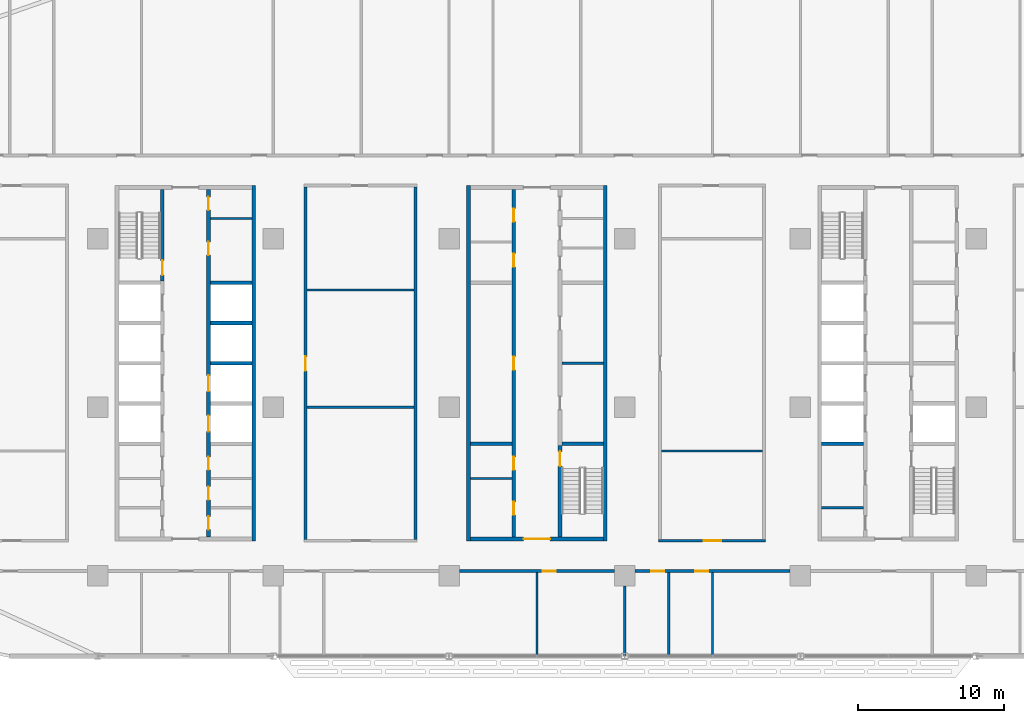
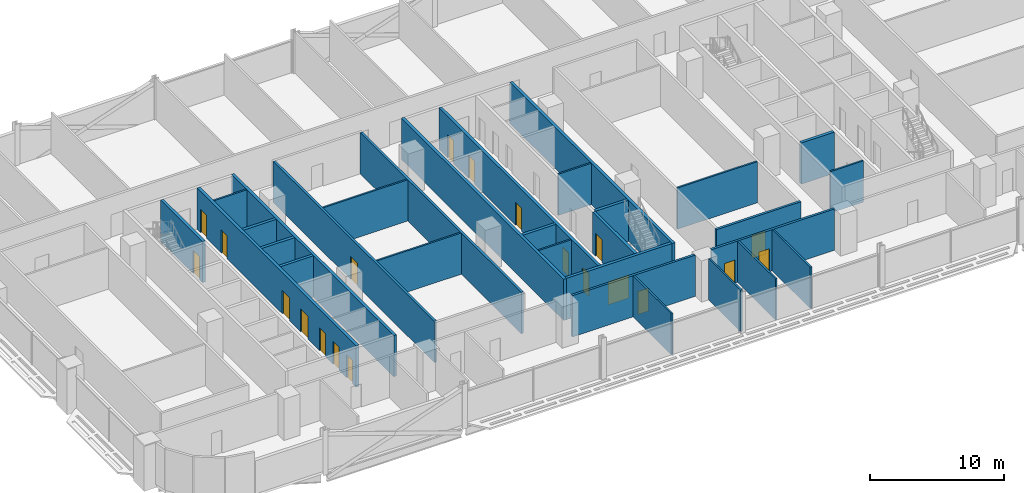
# One storey, part 13 of 29: 30 walls, 20 doors, 20 openings.
"""IFC4 building model written with IfcOpenShell, lengths in metres."""

from ifc_helpers import new_model, si_unit, direction, frame, frame_2d, origin, place, context, subcontext, project, spatial, rectangle, extrude, material, layer, layer_set, type_object, element, fill, save


model = new_model("IFC4")

# Units and contexts
model_context = context("Model", 3, precision=1e-05, world=origin(), true_north=direction((0.0, 1.0)))
body_context = subcontext(model_context, "Body", "Model", "MODEL_VIEW")
ifc_project = project(units=[si_unit("LENGTHUNIT", "METRE"), si_unit("AREAUNIT", "SQUARE_METRE"), si_unit("VOLUMEUNIT", "CUBIC_METRE"), si_unit("PLANEANGLEUNIT", "RADIAN"), si_unit("MASSUNIT", "GRAM", prefix="KILO")], contexts=[model_context])

# Site, building, storey
site_placement = place(None, origin())
site = spatial("IfcSite", under=ifc_project, at=site_placement, CompositionType="ELEMENT")
building_placement = place(site_placement, origin())
building = spatial("IfcBuilding", under=site, at=building_placement, Name="Mahtab Terrace Research Tower", CompositionType="ELEMENT")
storey_placement = place(building_placement, frame((0.0, 0.0, 105.300048828125)))
storey = spatial("IfcBuildingStorey", under=building, at=storey_placement, Name="L24", CompositionType="ELEMENT", Elevation=105.300048828125)

# Walls
ifc_material_1 = material(Name="Gypsum board partition")
ifc_layer_1 = layer(ifc_material_1, 0.14990234375)
ifc_layer_set_1 = layer_set([ifc_layer_1], Name="Core partition 150")
wall_type_1 = type_object("IfcWallType", Name="Core partition 150", PredefinedType="PARTITIONING", material=ifc_layer_set_1)
for number, where, z_axis, x_axis, name in (
    (1, (-22.300048828125, 12.875, 0.0), (0.0, 0.0, 1.0), (1.0, 0.0, 0.0), "Core wall A pEN988"),
    (2, (1.699951171875, 3.0, 0.0), (0.0, 0.0, 1.0), (1.0, 0.0, 0.0), "Core wall B pEL0"),
    (3, (-4.550048828125, -4.875, 0.0), (0.0, 0.0, 1.0), (1.0, 0.0, 0.0), "Core wall B pWS-788"),
    (4, (19.449951171875, -6.875, 0.0), (0.0, 0.0, 1.0), (1.0, 0.0, 0.0), "Core wall C pWS-988"),
):
    element("IfcWall", number, at=place(storey_placement, frame(where, z_axis=z_axis, x_axis=x_axis)), inside=storey, type_object=wall_type_1, Name=name, PredefinedType="PARTITIONING", context=body_context, shape_type="SweptSolid", body=[
        extrude(rectangle(XDim=2.85009765625, YDim=0.14990234375, at=frame_2d((1.425048828125, 0.0))), origin(), (0.0, 0.0, 1.0), 3.760009765625),
    ])
ifc_material_2 = material(Name="Concrete C70/85", Category="concrete")
ifc_layer_2 = layer(ifc_material_2, 0.25)
ifc_layer_set_2 = layer_set([ifc_layer_2], Name="Core wall 250")
wall_type_2 = type_object("IfcWallType", Name="Core wall 250", PredefinedType="SOLIDWALL", material=ifc_layer_set_2)
wall_1_placement = place(storey_placement, frame((-19.324951171875, -9.125, 0.0), z_axis=(0.0, 0.0, 1.0), x_axis=(0.0, 1.0, 0.0)))
element("IfcWall", 5, at=wall_1_placement, inside=storey, type_object=wall_type_2, Name="Core wall A outerE", PredefinedType="SOLIDWALL", context=body_context, shape_type="SweptSolid", body=[
    extrude(rectangle(XDim=24.25, YDim=0.25, at=frame_2d((12.125, 0.0))), origin(), (0.0, 0.0, 1.0), 3.760009765625),
])

# Wall, opening, door
wall_2_placement = place(storey_placement, frame((-25.574951171875, 14.875, 0.0), z_axis=(0.0, 0.0, 1.0), x_axis=(0.0, -1.0, 0.0)))
wall_2 = element("IfcWall", 6, at=wall_2_placement, inside=storey, type_object=wall_type_2, Name="Core wall A innerWN", PredefinedType="SOLIDWALL", context=body_context, shape_type="SweptSolid", body=[
    extrude(rectangle(XDim=6.25, YDim=0.25, at=frame_2d((3.125, 0.0))), origin(), (0.0, 0.0, 1.0), 3.760009765625),
])
opening_1_placement = place(wall_2_placement, frame((4.85009765625, 0.0, 0.0)))
opening_1 = element("IfcOpeningElement", 7, at=opening_1_placement, cuts=wall_2, Name="Opening A-ST1", PredefinedType="OPENING", context=body_context, shape_type="SweptSolid", body=[
    extrude(rectangle(XDim=1.0, YDim=2.10009765625, at=frame_2d((0.5, 1.050048828125))), frame((0.0, 0.135009765625, 0.0), z_axis=(0.0, -1.0, 0.0), x_axis=(1.0, 0.0, 0.0)), (0.0, 0.0, 1.0), 0.27001953125),
])
ifc_material_3 = material(Name="Steel fire door", Category="steel")
door_type_1 = type_object("IfcDoorType", Name="Stair door 1000x2100 1.5 HR", OperationType="NOTDEFINED", PredefinedType="DOOR", material=ifc_material_3)
door_1_placement = place(opening_1_placement, origin())
door_1 = element("IfcDoor", 8, at=door_1_placement, inside=storey, type_object=door_type_1, Name="Stair door ST1 L24", OperationType="SINGLE_SWING_LEFT", OverallHeight=2.10009765625, OverallWidth=1.0, PredefinedType="DOOR", context=body_context, shape_type="SweptSolid", body=[
    extrude(rectangle(XDim=1.0, YDim=2.10009765625, at=frame_2d((0.5, 1.050048828125))), frame((0.0, 0.02490234375, 0.0), z_axis=(0.0, -1.0, 0.0), x_axis=(1.0, 0.0, 0.0)), (0.0, 0.0, 1.0), 0.050048828125),
])
fill(opening_1, door_1)

# Wall, openings, doors
wall_3_placement = place(storey_placement, frame((-22.425048828125, 14.875, 0.0), z_axis=(0.0, 0.0, 1.0), x_axis=(0.0, -1.0, 0.0)))
wall_3 = element("IfcWall", 9, at=wall_3_placement, inside=storey, type_object=wall_type_2, Name="Core wall A innerESLN", PredefinedType="SOLIDWALL", context=body_context, shape_type="SweptSolid", body=[
    extrude(rectangle(XDim=23.75, YDim=0.25, at=frame_2d((11.875, 0.0))), origin(), (0.0, 0.0, 1.0), 3.760009765625),
])
opening_2_placement = place(wall_3_placement, frame((15.449951171875, 0.0, 0.0)))
opening_2 = element("IfcOpeningElement", 10, at=opening_2_placement, cuts=wall_3, Name="Opening LD05-L24", PredefinedType="OPENING", context=body_context, shape_type="SweptSolid", body=[
    extrude(rectangle(XDim=1.10009765625, YDim=2.10009765625, at=frame_2d((0.550048828125, 1.050048828125))), frame((0.0, 0.135009765625, 0.0), z_axis=(0.0, -1.0, 0.0), x_axis=(1.0, 0.0, 0.0)), (0.0, 0.0, 1.0), 0.27001953125),
])
opening_3_placement = place(wall_3_placement, frame((12.699951171875, 0.0, 0.0)))
opening_3 = element("IfcOpeningElement", 11, at=opening_3_placement, cuts=wall_3, Name="Opening LD06-L24", PredefinedType="OPENING", context=body_context, shape_type="SweptSolid", body=[
    extrude(rectangle(XDim=1.10009765625, YDim=2.10009765625, at=frame_2d((0.550048828125, 1.050048828125))), frame((0.0, 0.135009765625, 0.0), z_axis=(0.0, -1.0, 0.0), x_axis=(1.0, 0.0, 0.0)), (0.0, 0.0, 1.0), 0.27001953125),
])
opening_4_placement = place(wall_3_placement, frame((22.33740234375, 0.0, 0.0)))
opening_4 = element("IfcOpeningElement", 12, at=opening_4_placement, cuts=wall_3, Name="Opening A-R4", PredefinedType="OPENING", context=body_context, shape_type="SweptSolid", body=[
    extrude(rectangle(XDim=0.89990234375, YDim=2.10009765625, at=frame_2d((0.449951171875, 1.050048828125))), frame((0.0, 0.135009765625, 0.0), z_axis=(0.0, -1.0, 0.0), x_axis=(1.0, 0.0, 0.0)), (0.0, 0.0, 1.0), 0.27001953125),
])
opening_5_placement = place(wall_3_placement, frame((20.300048828125, 0.0, 0.0)))
opening_5 = element("IfcOpeningElement", 13, at=opening_5_placement, cuts=wall_3, Name="Opening A-R5", PredefinedType="OPENING", context=body_context, shape_type="SweptSolid", body=[
    extrude(rectangle(XDim=0.89990234375, YDim=2.10009765625, at=frame_2d((0.449951171875, 1.050048828125))), frame((0.0, 0.135009765625, 0.0), z_axis=(0.0, -1.0, 0.0), x_axis=(1.0, 0.0, 0.0)), (0.0, 0.0, 1.0), 0.27001953125),
])
opening_6_placement = place(wall_3_placement, frame((18.262451171875, 0.0, 0.0)))
opening_6 = element("IfcOpeningElement", 14, at=opening_6_placement, cuts=wall_3, Name="Opening A-R6", PredefinedType="OPENING", context=body_context, shape_type="SweptSolid", body=[
    extrude(rectangle(XDim=0.89990234375, YDim=2.10009765625, at=frame_2d((0.449951171875, 1.050048828125))), frame((0.0, 0.135009765625, 0.0), z_axis=(0.0, -1.0, 0.0), x_axis=(1.0, 0.0, 0.0)), (0.0, 0.0, 1.0), 0.27001953125),
])
opening_7_placement = place(wall_3_placement, frame((3.58740234375, 0.0, 0.0)))
opening_7 = element("IfcOpeningElement", 15, at=opening_7_placement, cuts=wall_3, Name="Opening A-R7", PredefinedType="OPENING", context=body_context, shape_type="SweptSolid", body=[
    extrude(rectangle(XDim=0.89990234375, YDim=2.10009765625, at=frame_2d((0.449951171875, 1.050048828125))), frame((0.0, 0.135009765625, 0.0), z_axis=(0.0, -1.0, 0.0), x_axis=(1.0, 0.0, 0.0)), (0.0, 0.0, 1.0), 0.27001953125),
])
opening_8_placement = place(wall_3_placement, frame((0.512451171875, 0.0, 0.0)))
opening_8 = element("IfcOpeningElement", 16, at=opening_8_placement, cuts=wall_3, Name="Opening A-R8", PredefinedType="OPENING", context=body_context, shape_type="SweptSolid", body=[
    extrude(rectangle(XDim=0.89990234375, YDim=2.10009765625, at=frame_2d((0.449951171875, 1.050048828125))), frame((0.0, 0.135009765625, 0.0), z_axis=(0.0, -1.0, 0.0), x_axis=(1.0, 0.0, 0.0)), (0.0, 0.0, 1.0), 0.27001953125),
])
ifc_material_4 = material(Name="Stainless steel AISI 304", Category="steel")
door_type_2 = type_object("IfcDoorType", Name="Landing door 1100x2100", OperationType="DOUBLE_DOOR_SLIDING", PredefinedType="DOOR", material=ifc_material_4)
door_2_placement = place(opening_2_placement, origin())
door_2 = element("IfcDoor", 17, at=door_2_placement, inside=storey, type_object=door_type_2, Name="Landing door LR5 L24", OperationType="DOUBLE_DOOR_SLIDING", OverallHeight=2.10009765625, OverallWidth=1.10009765625, PredefinedType="DOOR", context=body_context, shape_type="SweptSolid", body=[
    extrude(rectangle(XDim=1.10009765625, YDim=2.10009765625, at=frame_2d((0.550048828125, 1.050048828125))), frame((0.0, 0.02490234375, 0.0), z_axis=(0.0, -1.0, 0.0), x_axis=(1.0, 0.0, 0.0)), (0.0, 0.0, 1.0), 0.050048828125),
])
fill(opening_2, door_2)
door_3_placement = place(opening_3_placement, origin())
door_3 = element("IfcDoor", 18, at=door_3_placement, inside=storey, type_object=door_type_2, Name="Landing door LR6 L24", OperationType="DOUBLE_DOOR_SLIDING", OverallHeight=2.10009765625, OverallWidth=1.10009765625, PredefinedType="DOOR", context=body_context, shape_type="SweptSolid", body=[
    extrude(rectangle(XDim=1.10009765625, YDim=2.10009765625, at=frame_2d((0.550048828125, 1.050048828125))), frame((0.0, 0.02490234375, 0.0), z_axis=(0.0, -1.0, 0.0), x_axis=(1.0, 0.0, 0.0)), (0.0, 0.0, 1.0), 0.050048828125),
])
fill(opening_3, door_3)
door_type_3 = type_object("IfcDoorType", Name="Room door 900x2100 1 HR", OperationType="NOTDEFINED", PredefinedType="DOOR", material=ifc_material_3)
door_4_placement = place(opening_4_placement, origin())
door_4 = element("IfcDoor", 19, at=door_4_placement, inside=storey, type_object=door_type_3, Name="Comms riser room door", OperationType="SINGLE_SWING_RIGHT", OverallHeight=2.10009765625, OverallWidth=0.89990234375, PredefinedType="DOOR", context=body_context, shape_type="SweptSolid", body=[
    extrude(rectangle(XDim=0.89990234375, YDim=2.10009765625, at=frame_2d((0.449951171875, 1.050048828125))), frame((0.0, 0.02490234375, 0.0), z_axis=(0.0, -1.0, 0.0), x_axis=(1.0, 0.0, 0.0)), (0.0, 0.0, 1.0), 0.050048828125),
])
fill(opening_4, door_4)
door_5_placement = place(opening_5_placement, origin())
door_5 = element("IfcDoor", 20, at=door_5_placement, inside=storey, type_object=door_type_3, Name="Pantry door", OperationType="SINGLE_SWING_LEFT", OverallHeight=2.10009765625, OverallWidth=0.89990234375, PredefinedType="DOOR", context=body_context, shape_type="SweptSolid", body=[
    extrude(rectangle(XDim=0.89990234375, YDim=2.10009765625, at=frame_2d((0.449951171875, 1.050048828125))), frame((0.0, 0.02490234375, 0.0), z_axis=(0.0, -1.0, 0.0), x_axis=(1.0, 0.0, 0.0)), (0.0, 0.0, 1.0), 0.050048828125),
])
fill(opening_5, door_5)
door_6_placement = place(opening_6_placement, origin())
door_6 = element("IfcDoor", 21, at=door_6_placement, inside=storey, type_object=door_type_3, Name="Cleaners store door", OperationType="SINGLE_SWING_RIGHT", OverallHeight=2.10009765625, OverallWidth=0.89990234375, PredefinedType="DOOR", context=body_context, shape_type="SweptSolid", body=[
    extrude(rectangle(XDim=0.89990234375, YDim=2.10009765625, at=frame_2d((0.449951171875, 1.050048828125))), frame((0.0, 0.02490234375, 0.0), z_axis=(0.0, -1.0, 0.0), x_axis=(1.0, 0.0, 0.0)), (0.0, 0.0, 1.0), 0.050048828125),
])
fill(opening_6, door_6)
door_7_placement = place(opening_7_placement, origin())
door_7 = element("IfcDoor", 22, at=door_7_placement, inside=storey, type_object=door_type_3, Name="IT equipment room door", OperationType="SINGLE_SWING_LEFT", OverallHeight=2.10009765625, OverallWidth=0.89990234375, PredefinedType="DOOR", context=body_context, shape_type="SweptSolid", body=[
    extrude(rectangle(XDim=0.89990234375, YDim=2.10009765625, at=frame_2d((0.449951171875, 1.050048828125))), frame((0.0, 0.02490234375, 0.0), z_axis=(0.0, -1.0, 0.0), x_axis=(1.0, 0.0, 0.0)), (0.0, 0.0, 1.0), 0.050048828125),
])
fill(opening_7, door_7)
door_8_placement = place(opening_8_placement, origin())
door_8 = element("IfcDoor", 23, at=door_8_placement, inside=storey, type_object=door_type_3, Name="Electrical riser room door", OperationType="SINGLE_SWING_RIGHT", OverallHeight=2.10009765625, OverallWidth=0.89990234375, PredefinedType="DOOR", context=body_context, shape_type="SweptSolid", body=[
    extrude(rectangle(XDim=0.89990234375, YDim=2.10009765625, at=frame_2d((0.449951171875, 1.050048828125))), frame((0.0, 0.02490234375, 0.0), z_axis=(0.0, -1.0, 0.0), x_axis=(1.0, 0.0, 0.0)), (0.0, 0.0, 1.0), 0.050048828125),
])
fill(opening_8, door_8)

# Walls
for number, where, z_axis, x_axis, name in (
    (24, (-22.300048828125, 3.0, 0.0), (0.0, 0.0, 1.0), (1.0, 0.0, 0.0), "Core wall A divE2"),
    (25, (-22.300048828125, 5.75, 0.0), (0.0, 0.0, 1.0), (1.0, 0.0, 0.0), "Core wall A divE3"),
    (26, (-22.300048828125, 8.5, 0.0), (0.0, 0.0, 1.0), (1.0, 0.0, 0.0), "Core wall A divE4"),
):
    element("IfcWall", number, at=place(storey_placement, frame(where, z_axis=z_axis, x_axis=x_axis)), inside=storey, type_object=wall_type_2, Name=name, PredefinedType="SOLIDWALL", context=body_context, shape_type="SweptSolid", body=[
        extrude(rectangle(XDim=2.85009765625, YDim=0.25, at=frame_2d((1.425048828125, 0.0))), origin(), (0.0, 0.0, 1.0), 3.760009765625),
    ])
for number, where, z_axis, x_axis, name in (
    (27, (-4.675048828125, 15.125, 0.0), (0.0, 0.0, 1.0), (0.0, -1.0, 0.0), "Core wall B outerW"),
    (28, (4.675048828125, -9.125, 0.0), (0.0, 0.0, 1.0), (0.0, 1.0, 0.0), "Core wall B outerE"),
):
    element("IfcWall", number, at=place(storey_placement, frame(where, z_axis=z_axis, x_axis=x_axis)), inside=storey, type_object=wall_type_2, Name=name, PredefinedType="SOLIDWALL", context=body_context, shape_type="SweptSolid", body=[
        extrude(rectangle(XDim=24.25, YDim=0.25, at=frame_2d((12.125, 0.0))), origin(), (0.0, 0.0, 1.0), 3.760009765625),
    ])

# Wall, opening, door
wall_4_placement = place(storey_placement, frame((4.550048828125, -9.0, 0.0), z_axis=(0.0, 0.0, 1.0), x_axis=(-1.0, 0.0, 0.0)))
wall_4 = element("IfcWall", 29, at=wall_4_placement, inside=storey, type_object=wall_type_2, Name="Core wall B endS", PredefinedType="SOLIDWALL", context=body_context, shape_type="SweptSolid", body=[
    extrude(rectangle(XDim=9.10009765625, YDim=0.25, at=frame_2d((4.550048828125, 0.0))), origin(), (0.0, 0.0, 1.0), 3.760009765625),
])
opening_9_placement = place(wall_4_placement, frame((3.64990234375, 0.0, 0.0)))
opening_9 = element("IfcOpeningElement", 30, at=opening_9_placement, cuts=wall_4, Name="Opening B-S1", PredefinedType="OPENING", context=body_context, shape_type="SweptSolid", body=[
    extrude(rectangle(XDim=1.800048828125, YDim=2.10009765625, at=frame_2d((0.89990234375, 1.050048828125))), frame((0.0, 0.135009765625, 0.0), z_axis=(0.0, -1.0, 0.0), x_axis=(1.0, 0.0, 0.0)), (0.0, 0.0, 1.0), 0.27001953125),
])
door_type_4 = type_object("IfcDoorType", Name="Lobby double door 1800x2100 1 HR", OperationType="DOUBLE_DOOR_SINGLE_SWING", PredefinedType="DOOR", material=ifc_material_3)
door_9_placement = place(opening_9_placement, origin())
door_9 = element("IfcDoor", 31, at=door_9_placement, inside=storey, type_object=door_type_4, Name="Core entrance door B S", OperationType="DOUBLE_DOOR_SINGLE_SWING", OverallHeight=2.10009765625, OverallWidth=1.800048828125, PredefinedType="DOOR", context=body_context, shape_type="SweptSolid", body=[
    extrude(rectangle(XDim=1.800048828125, YDim=2.10009765625, at=frame_2d((0.89990234375, 1.050048828125))), frame((0.0, 0.02490234375, 0.0), z_axis=(0.0, -1.0, 0.0), x_axis=(1.0, 0.0, 0.0)), (0.0, 0.0, 1.0), 0.050048828125),
])
fill(opening_9, door_9)

# Wall, openings, doors
wall_5_placement = place(storey_placement, frame((-1.574951171875, -8.875, 0.0), z_axis=(0.0, 0.0, 1.0), x_axis=(0.0, 1.0, 0.0)))
wall_5 = element("IfcWall", 32, at=wall_5_placement, inside=storey, type_object=wall_type_2, Name="Core wall B innerWSLN", PredefinedType="SOLIDWALL", context=body_context, shape_type="SweptSolid", body=[
    extrude(rectangle(XDim=23.75, YDim=0.25, at=frame_2d((11.875, 0.0))), origin(), (0.0, 0.0, 1.0), 3.760009765625),
])
opening_10_placement = place(wall_5_placement, frame((11.425048828125, 0.0, 0.0)))
opening_10 = element("IfcOpeningElement", 33, at=opening_10_placement, cuts=wall_5, Name="Opening B-R1", PredefinedType="OPENING", context=body_context, shape_type="SweptSolid", body=[
    extrude(rectangle(XDim=0.89990234375, YDim=2.10009765625, at=frame_2d((0.449951171875, 1.050048828125))), frame((0.0, 0.135009765625, 0.0), z_axis=(0.0, -1.0, 0.0), x_axis=(1.0, 0.0, 0.0)), (0.0, 0.0, 1.0), 0.27001953125),
])
opening_11_placement = place(wall_5_placement, frame((1.512451171875, 0.0, 0.0)))
opening_11 = element("IfcOpeningElement", 34, at=opening_11_placement, cuts=wall_5, Name="Opening B-R4", PredefinedType="OPENING", context=body_context, shape_type="SweptSolid", body=[
    extrude(rectangle(XDim=0.89990234375, YDim=2.10009765625, at=frame_2d((0.449951171875, 1.050048828125))), frame((0.0, 0.135009765625, 0.0), z_axis=(0.0, -1.0, 0.0), x_axis=(1.0, 0.0, 0.0)), (0.0, 0.0, 1.0), 0.27001953125),
])
opening_12_placement = place(wall_5_placement, frame((4.58740234375, 0.0, 0.0)))
opening_12 = element("IfcOpeningElement", 35, at=opening_12_placement, cuts=wall_5, Name="Opening B-R5", PredefinedType="OPENING", context=body_context, shape_type="SweptSolid", body=[
    extrude(rectangle(XDim=0.89990234375, YDim=2.10009765625, at=frame_2d((0.449951171875, 1.050048828125))), frame((0.0, 0.135009765625, 0.0), z_axis=(0.0, -1.0, 0.0), x_axis=(1.0, 0.0, 0.0)), (0.0, 0.0, 1.0), 0.27001953125),
])
opening_13_placement = place(wall_5_placement, frame((18.46240234375, 0.0, 0.0)))
opening_13 = element("IfcOpeningElement", 36, at=opening_13_placement, cuts=wall_5, Name="Opening B-R6", PredefinedType="OPENING", context=body_context, shape_type="SweptSolid", body=[
    extrude(rectangle(XDim=0.89990234375, YDim=2.10009765625, at=frame_2d((0.449951171875, 1.050048828125))), frame((0.0, 0.135009765625, 0.0), z_axis=(0.0, -1.0, 0.0), x_axis=(1.0, 0.0, 0.0)), (0.0, 0.0, 1.0), 0.27001953125),
])
opening_14_placement = place(wall_5_placement, frame((21.53759765625, 0.0, 0.0)))
opening_14 = element("IfcOpeningElement", 37, at=opening_14_placement, cuts=wall_5, Name="Opening B-R7", PredefinedType="OPENING", context=body_context, shape_type="SweptSolid", body=[
    extrude(rectangle(XDim=0.89990234375, YDim=2.10009765625, at=frame_2d((0.449951171875, 1.050048828125))), frame((0.0, 0.135009765625, 0.0), z_axis=(0.0, -1.0, 0.0), x_axis=(1.0, 0.0, 0.0)), (0.0, 0.0, 1.0), 0.27001953125),
])
door_10_placement = place(opening_10_placement, origin())
door_10 = element("IfcDoor", 38, at=door_10_placement, inside=storey, type_object=door_type_3, Name="Plant room door", OperationType="SINGLE_SWING_LEFT", OverallHeight=2.10009765625, OverallWidth=0.89990234375, PredefinedType="DOOR", context=body_context, shape_type="SweptSolid", body=[
    extrude(rectangle(XDim=0.89990234375, YDim=2.10009765625, at=frame_2d((0.449951171875, 1.050048828125))), frame((0.0, 0.02490234375, 0.0), z_axis=(0.0, -1.0, 0.0), x_axis=(1.0, 0.0, 0.0)), (0.0, 0.0, 1.0), 0.050048828125),
])
fill(opening_10, door_10)
door_11_placement = place(opening_11_placement, origin())
door_11 = element("IfcDoor", 39, at=door_11_placement, inside=storey, type_object=door_type_3, Name="IT equipment room door", OperationType="SINGLE_SWING_RIGHT", OverallHeight=2.10009765625, OverallWidth=0.89990234375, PredefinedType="DOOR", context=body_context, shape_type="SweptSolid", body=[
    extrude(rectangle(XDim=0.89990234375, YDim=2.10009765625, at=frame_2d((0.449951171875, 1.050048828125))), frame((0.0, 0.02490234375, 0.0), z_axis=(0.0, -1.0, 0.0), x_axis=(1.0, 0.0, 0.0)), (0.0, 0.0, 1.0), 0.050048828125),
])
fill(opening_11, door_11)
door_12_placement = place(opening_12_placement, origin())
door_12 = element("IfcDoor", 40, at=door_12_placement, inside=storey, type_object=door_type_3, Name="Electrical riser room door", OperationType="SINGLE_SWING_LEFT", OverallHeight=2.10009765625, OverallWidth=0.89990234375, PredefinedType="DOOR", context=body_context, shape_type="SweptSolid", body=[
    extrude(rectangle(XDim=0.89990234375, YDim=2.10009765625, at=frame_2d((0.449951171875, 1.050048828125))), frame((0.0, 0.02490234375, 0.0), z_axis=(0.0, -1.0, 0.0), x_axis=(1.0, 0.0, 0.0)), (0.0, 0.0, 1.0), 0.050048828125),
])
fill(opening_12, door_12)
door_13_placement = place(opening_13_placement, origin())
door_13 = element("IfcDoor", 41, at=door_13_placement, inside=storey, type_object=door_type_3, Name="Mechanical riser room door", OperationType="SINGLE_SWING_RIGHT", OverallHeight=2.10009765625, OverallWidth=0.89990234375, PredefinedType="DOOR", context=body_context, shape_type="SweptSolid", body=[
    extrude(rectangle(XDim=0.89990234375, YDim=2.10009765625, at=frame_2d((0.449951171875, 1.050048828125))), frame((0.0, 0.02490234375, 0.0), z_axis=(0.0, -1.0, 0.0), x_axis=(1.0, 0.0, 0.0)), (0.0, 0.0, 1.0), 0.050048828125),
])
fill(opening_13, door_13)
door_14_placement = place(opening_14_placement, origin())
door_14 = element("IfcDoor", 42, at=door_14_placement, inside=storey, type_object=door_type_3, Name="Chemical store door", OperationType="SINGLE_SWING_LEFT", OverallHeight=2.10009765625, OverallWidth=0.89990234375, PredefinedType="DOOR", context=body_context, shape_type="SweptSolid", body=[
    extrude(rectangle(XDim=0.89990234375, YDim=2.10009765625, at=frame_2d((0.449951171875, 1.050048828125))), frame((0.0, 0.02490234375, 0.0), z_axis=(0.0, -1.0, 0.0), x_axis=(1.0, 0.0, 0.0)), (0.0, 0.0, 1.0), 0.050048828125),
])
fill(opening_14, door_14)

# Wall, opening, door
wall_6_placement = place(storey_placement, frame((1.574951171875, -8.875, 0.0), z_axis=(0.0, 0.0, 1.0), x_axis=(0.0, 1.0, 0.0)))
wall_6 = element("IfcWall", 43, at=wall_6_placement, inside=storey, type_object=wall_type_2, Name="Core wall B innerES", PredefinedType="SOLIDWALL", context=body_context, shape_type="SweptSolid", body=[
    extrude(rectangle(XDim=6.25, YDim=0.25, at=frame_2d((3.125, 0.0))), origin(), (0.0, 0.0, 1.0), 3.760009765625),
])
opening_15_placement = place(wall_6_placement, frame((4.85009765625, 0.0, 0.0)))
opening_15 = element("IfcOpeningElement", 44, at=opening_15_placement, cuts=wall_6, Name="Opening B-ST2", PredefinedType="OPENING", context=body_context, shape_type="SweptSolid", body=[
    extrude(rectangle(XDim=1.0, YDim=2.10009765625, at=frame_2d((0.5, 1.050048828125))), frame((0.0, 0.135009765625, 0.0), z_axis=(0.0, -1.0, 0.0), x_axis=(1.0, 0.0, 0.0)), (0.0, 0.0, 1.0), 0.27001953125),
])
door_15_placement = place(opening_15_placement, origin())
door_15 = element("IfcDoor", 45, at=door_15_placement, inside=storey, type_object=door_type_1, Name="Stair door ST2 L24", OperationType="SINGLE_SWING_LEFT", OverallHeight=2.10009765625, OverallWidth=1.0, PredefinedType="DOOR", context=body_context, shape_type="SweptSolid", body=[
    extrude(rectangle(XDim=1.0, YDim=2.10009765625, at=frame_2d((0.5, 1.050048828125))), frame((0.0, 0.02490234375, 0.0), z_axis=(0.0, -1.0, 0.0), x_axis=(1.0, 0.0, 0.0)), (0.0, 0.0, 1.0), 0.050048828125),
])
fill(opening_15, door_15)

# Walls
for number, where, z_axis, x_axis, name in (
    (46, (-4.550048828125, -2.5, 0.0), (0.0, 0.0, 1.0), (1.0, 0.0, 0.0), "Core wall B divW0"),
    (47, (1.699951171875, -2.5, 0.0), (0.0, 0.0, 1.0), (1.0, 0.0, 0.0), "Core wall B divE0"),
    (48, (19.449951171875, -2.5, 0.0), (0.0, 0.0, 1.0), (1.0, 0.0, 0.0), "Core wall C divW0"),
):
    element("IfcWall", number, at=place(storey_placement, frame(where, z_axis=z_axis, x_axis=x_axis)), inside=storey, type_object=wall_type_2, Name=name, PredefinedType="SOLIDWALL", context=body_context, shape_type="SweptSolid", body=[
        extrude(rectangle(XDim=2.85009765625, YDim=0.25, at=frame_2d((1.425048828125, 0.0))), origin(), (0.0, 0.0, 1.0), 3.760009765625),
    ])

# Wall, opening, door
ifc_material_5 = material(Name="Gypsum board corridor wall on steel studs", Category="steel")
ifc_layer_3 = layer(ifc_material_5, 0.199951171875)
ifc_layer_set_3 = layer_set([ifc_layer_3], Name="WALL CORRIDOR 200")
wall_type_3 = type_object("IfcWallType", Name="WALL CORRIDOR 200", PredefinedType="PARTITIONING", material=ifc_layer_set_3)
wall_7_placement = place(storey_placement, frame((-5.300048828125, -11.199951171875, 0.0), z_axis=(0.0, 0.0, 1.0), x_axis=(1.0, 0.0, 0.0)))
wall_7 = element("IfcWall", 49, at=wall_7_placement, inside=storey, type_object=wall_type_3, Name="L24-W004", PredefinedType="PARTITIONING", context=body_context, shape_type="SweptSolid", body=[
    extrude(rectangle(XDim=10.60009765625, YDim=0.199951171875, at=frame_2d((5.300048828125, 0.0))), origin(), (0.0, 0.0, 1.0), 3.760009765625),
])
opening_16_placement = place(wall_7_placement, frame((5.699951171875, 0.0, 0.0)))
opening_16 = element("IfcOpeningElement", 50, at=opening_16_placement, cuts=wall_7, Name="Opening L24-106", PredefinedType="OPENING", context=body_context, shape_type="SweptSolid", body=[
    extrude(rectangle(XDim=0.89990234375, YDim=2.10009765625, at=frame_2d((0.449951171875, 1.050048828125))), frame((0.0, 0.10986328125, 0.0), z_axis=(0.0, -1.0, 0.0), x_axis=(1.0, 0.0, 0.0)), (0.0, 0.0, 1.0), 0.219970703125),
])
ifc_material_6 = material(Name="Timber door leaf in steel frame", Category="steel")
door_type_5 = type_object("IfcDoorType", Name="DOOR 0900X2100 FD30S", OperationType="SINGLE_SWING_LEFT", PredefinedType="DOOR", material=ifc_material_6)
door_16_placement = place(opening_16_placement, origin())
door_16 = element("IfcDoor", 51, at=door_16_placement, inside=storey, type_object=door_type_5, Name="Door L24-106", OperationType="SINGLE_SWING_LEFT", OverallHeight=2.10009765625, OverallWidth=0.89990234375, PredefinedType="DOOR", context=body_context, shape_type="SweptSolid", body=[
    extrude(rectangle(XDim=0.89990234375, YDim=2.10009765625, at=frame_2d((0.449951171875, 1.050048828125))), frame((0.0, 0.02490234375, 0.0), z_axis=(0.0, -1.0, 0.0), x_axis=(1.0, 0.0, 0.0)), (0.0, 0.0, 1.0), 0.050048828125),
])
fill(opening_16, door_16)

# Wall, openings, doors
wall_8_placement = place(storey_placement, frame((6.699951171875, -11.199951171875, 0.0), z_axis=(0.0, 0.0, 1.0), x_axis=(1.0, 0.0, 0.0)))
wall_8 = element("IfcWall", 52, at=wall_8_placement, inside=storey, type_object=wall_type_3, Name="L24-W005", PredefinedType="PARTITIONING", context=body_context, shape_type="SweptSolid", body=[
    extrude(rectangle(XDim=10.60009765625, YDim=0.199951171875, at=frame_2d((5.300048828125, 0.0))), origin(), (0.0, 0.0, 1.0), 3.760009765625),
])
opening_17_placement = place(wall_8_placement, frame((1.10009765625, 0.0, 0.0)))
opening_17 = element("IfcOpeningElement", 53, at=opening_17_placement, cuts=wall_8, Name="Opening L24-107", PredefinedType="OPENING", context=body_context, shape_type="SweptSolid", body=[
    extrude(rectangle(XDim=0.89990234375, YDim=2.10009765625, at=frame_2d((0.449951171875, 1.050048828125))), frame((0.0, 0.10986328125, 0.0), z_axis=(0.0, -1.0, 0.0), x_axis=(1.0, 0.0, 0.0)), (0.0, 0.0, 1.0), 0.219970703125),
])
opening_18_placement = place(wall_8_placement, frame((4.10009765625, 0.0, 0.0)))
opening_18 = element("IfcOpeningElement", 54, at=opening_18_placement, cuts=wall_8, Name="Opening L24-108", PredefinedType="OPENING", context=body_context, shape_type="SweptSolid", body=[
    extrude(rectangle(XDim=0.89990234375, YDim=2.10009765625, at=frame_2d((0.449951171875, 1.050048828125))), frame((0.0, 0.10986328125, 0.0), z_axis=(0.0, -1.0, 0.0), x_axis=(1.0, 0.0, 0.0)), (0.0, 0.0, 1.0), 0.219970703125),
])
door_17_placement = place(opening_17_placement, origin())
door_17 = element("IfcDoor", 55, at=door_17_placement, inside=storey, type_object=door_type_5, Name="Door L24-107", OperationType="SINGLE_SWING_RIGHT", OverallHeight=2.10009765625, OverallWidth=0.89990234375, PredefinedType="DOOR", context=body_context, shape_type="SweptSolid", body=[
    extrude(rectangle(XDim=0.89990234375, YDim=2.10009765625, at=frame_2d((0.449951171875, 1.050048828125))), frame((0.0, 0.02490234375, 0.0), z_axis=(0.0, -1.0, 0.0), x_axis=(1.0, 0.0, 0.0)), (0.0, 0.0, 1.0), 0.050048828125),
])
fill(opening_17, door_17)
door_18_placement = place(opening_18_placement, origin())
door_18 = element("IfcDoor", 56, at=door_18_placement, inside=storey, type_object=door_type_5, Name="Door L24-108", OperationType="SINGLE_SWING_RIGHT", OverallHeight=2.10009765625, OverallWidth=0.89990234375, PredefinedType="DOOR", context=body_context, shape_type="SweptSolid", body=[
    extrude(rectangle(XDim=0.89990234375, YDim=2.10009765625, at=frame_2d((0.449951171875, 1.050048828125))), frame((0.0, 0.02490234375, 0.0), z_axis=(0.0, -1.0, 0.0), x_axis=(1.0, 0.0, 0.0)), (0.0, 0.0, 1.0), 0.050048828125),
])
fill(opening_18, door_18)

# Wall, opening, door
wall_9_placement = place(storey_placement, frame((8.300048828125, -9.125, 0.0), z_axis=(0.0, 0.0, 1.0), x_axis=(1.0, 0.0, 0.0)))
wall_9 = element("IfcWall", 57, at=wall_9_placement, inside=storey, type_object=wall_type_3, Name="L24-W011", PredefinedType="PARTITIONING", context=body_context, shape_type="SweptSolid", body=[
    extrude(rectangle(XDim=7.300048828125, YDim=0.199951171875, at=frame_2d((3.64990234375, 0.0))), origin(), (0.0, 0.0, 1.0), 3.760009765625),
])
opening_19_placement = place(wall_9_placement, frame((3.10009765625, 0.0, 0.0)))
opening_19 = element("IfcOpeningElement", 58, at=opening_19_placement, cuts=wall_9, Name="Opening L24-115", PredefinedType="OPENING", context=body_context, shape_type="SweptSolid", body=[
    extrude(rectangle(XDim=1.199951171875, YDim=2.10009765625, at=frame_2d((0.60009765625, 1.050048828125))), frame((0.0, 0.10986328125, 0.0), z_axis=(0.0, -1.0, 0.0), x_axis=(1.0, 0.0, 0.0)), (0.0, 0.0, 1.0), 0.219970703125),
])
door_type_6 = type_object("IfcDoorType", Name="DOOR 1200X2100 FD30S", OperationType="SINGLE_SWING_LEFT", PredefinedType="DOOR", material=ifc_material_6)
door_19_placement = place(opening_19_placement, origin())
door_19 = element("IfcDoor", 59, at=door_19_placement, inside=storey, type_object=door_type_6, Name="Door L24-115", OperationType="SINGLE_SWING_RIGHT", OverallHeight=2.10009765625, OverallWidth=1.199951171875, PredefinedType="DOOR", context=body_context, shape_type="SweptSolid", body=[
    extrude(rectangle(XDim=1.199951171875, YDim=2.10009765625, at=frame_2d((0.60009765625, 1.050048828125))), frame((0.0, 0.02490234375, 0.0), z_axis=(0.0, -1.0, 0.0), x_axis=(1.0, 0.0, 0.0)), (0.0, 0.0, 1.0), 0.050048828125),
])
fill(opening_19, door_19)

wall_10_placement = place(storey_placement, frame((-15.800048828125, -9.02490234375, 0.0), z_axis=(0.0, 0.0, 1.0), x_axis=(0.0, 1.0, 0.0)))
wall_10 = element("IfcWall", 60, at=wall_10_placement, inside=storey, type_object=wall_type_3, Name="L24-W036", PredefinedType="PARTITIONING", context=body_context, shape_type="SweptSolid", body=[
    extrude(rectangle(XDim=24.0498046875, YDim=0.199951171875, at=frame_2d((12.02490234375, 0.0))), origin(), (0.0, 0.0, 1.0), 3.760009765625),
])
opening_20_placement = place(wall_10_placement, frame((11.5, 0.0, 0.0)))
opening_20 = element("IfcOpeningElement", 61, at=opening_20_placement, cuts=wall_10, Name="Opening L24-119", PredefinedType="OPENING", context=body_context, shape_type="SweptSolid", body=[
    extrude(rectangle(XDim=1.0, YDim=2.10009765625, at=frame_2d((0.5, 1.050048828125))), frame((0.0, 0.10986328125, 0.0), z_axis=(0.0, -1.0, 0.0), x_axis=(1.0, 0.0, 0.0)), (0.0, 0.0, 1.0), 0.219970703125),
])
door_type_7 = type_object("IfcDoorType", Name="DOOR 1000X2100 FD30S", OperationType="SINGLE_SWING_LEFT", PredefinedType="DOOR", material=ifc_material_6)
door_20_placement = place(opening_20_placement, origin())
door_20 = element("IfcDoor", 62, at=door_20_placement, inside=storey, type_object=door_type_7, Name="Door L24-119", OperationType="SINGLE_SWING_RIGHT", OverallHeight=2.10009765625, OverallWidth=1.0, PredefinedType="DOOR", context=body_context, shape_type="SweptSolid", body=[
    extrude(rectangle(XDim=1.0, YDim=2.10009765625, at=frame_2d((0.5, 1.050048828125))), frame((0.0, 0.02490234375, 0.0), z_axis=(0.0, -1.0, 0.0), x_axis=(1.0, 0.0, 0.0)), (0.0, 0.0, 1.0), 0.050048828125),
])
fill(opening_20, door_20)

# Walls
wall_11_placement = place(storey_placement, frame((-8.300048828125, -9.02490234375, 0.0), z_axis=(0.0, 0.0, 1.0), x_axis=(0.0, 1.0, 0.0)))
element("IfcWall", 63, at=wall_11_placement, inside=storey, type_object=wall_type_3, Name="L24-W039", PredefinedType="PARTITIONING", context=body_context, shape_type="SweptSolid", body=[
    extrude(rectangle(XDim=24.0498046875, YDim=0.199951171875, at=frame_2d((12.02490234375, 0.0))), origin(), (0.0, 0.0, 1.0), 3.760009765625),
])
ifc_material_7 = material(Name="Gypsum board partition on steel studs", Category="steel")
ifc_layer_4 = layer(ifc_material_7, 0.14990234375)
ifc_layer_set_4 = layer_set([ifc_layer_4], Name="WALL PARTITION 150")
wall_type_4 = type_object("IfcWallType", Name="WALL PARTITION 150", PredefinedType="PARTITIONING", material=ifc_layer_set_4)
wall_12_placement = place(storey_placement, frame((8.5, -3.0, 0.0), z_axis=(0.0, 0.0, 1.0), x_axis=(1.0, 0.0, 0.0)))
element("IfcWall", 64, at=wall_12_placement, inside=storey, type_object=wall_type_4, Name="L24-W014", PredefinedType="PARTITIONING", context=body_context, shape_type="SweptSolid", body=[
    extrude(rectangle(XDim=6.89990234375, YDim=0.14990234375, at=frame_2d((3.449951171875, 0.0))), origin(), (0.0, 0.0, 1.0), 3.760009765625),
])
for number, where, z_axis, x_axis, name in (
    (65, (-15.699951171875, 0.0, 0.0), (0.0, 0.0, 1.0), (1.0, 0.0, 0.0), "L24-W015"),
    (66, (-15.699951171875, 8.0, 0.0), (0.0, 0.0, 1.0), (1.0, 0.0, 0.0), "L24-W018"),
):
    element("IfcWall", number, at=place(storey_placement, frame(where, z_axis=z_axis, x_axis=x_axis)), inside=storey, type_object=wall_type_4, Name=name, PredefinedType="PARTITIONING", context=body_context, shape_type="SweptSolid", body=[
        extrude(rectangle(XDim=7.300048828125, YDim=0.14990234375, at=frame_2d((3.64990234375, 0.0))), origin(), (0.0, 0.0, 1.0), 3.760009765625),
    ])
wall_13_placement = place(storey_placement, frame((0.0, -16.97509765625, 0.0), z_axis=(0.0, 0.0, 1.0), x_axis=(0.0, 1.0, 0.0)))
element("IfcWall", 67, at=wall_13_placement, inside=storey, type_object=wall_type_4, Name="L24-W042", PredefinedType="PARTITIONING", context=body_context, shape_type="SweptSolid", body=[
    extrude(rectangle(XDim=5.675048828125, YDim=0.14990234375, at=frame_2d((2.83740234375, 0.0))), origin(), (0.0, 0.0, 1.0), 3.760009765625),
])
wall_14_placement = place(storey_placement, frame((6.0, -16.97509765625, 0.0), z_axis=(0.0, 0.0, 1.0), x_axis=(0.0, 1.0, 0.0)))
element("IfcWall", 68, at=wall_14_placement, inside=storey, type_object=wall_type_4, Name="L24-W044", PredefinedType="PARTITIONING", context=body_context, shape_type="SweptSolid", body=[
    extrude(rectangle(XDim=4.775146484375, YDim=0.14990234375, at=frame_2d((2.3876953125, 0.0))), origin(), (0.0, 0.0, 1.0), 3.760009765625),
])
for number, where, z_axis, x_axis, name in (
    (69, (9.0, -16.97509765625, 0.0), (0.0, 0.0, 1.0), (0.0, 1.0, 0.0), "L24-W046"),
    (70, (12.0, -16.97509765625, 0.0), (0.0, 0.0, 1.0), (0.0, 1.0, 0.0), "L24-W047"),
):
    element("IfcWall", number, at=place(storey_placement, frame(where, z_axis=z_axis, x_axis=x_axis)), inside=storey, type_object=wall_type_4, Name=name, PredefinedType="PARTITIONING", context=body_context, shape_type="SweptSolid", body=[
        extrude(rectangle(XDim=5.675048828125, YDim=0.14990234375, at=frame_2d((2.83740234375, 0.0))), origin(), (0.0, 0.0, 1.0), 3.760009765625),
    ])

save(model, "model.ifc")
